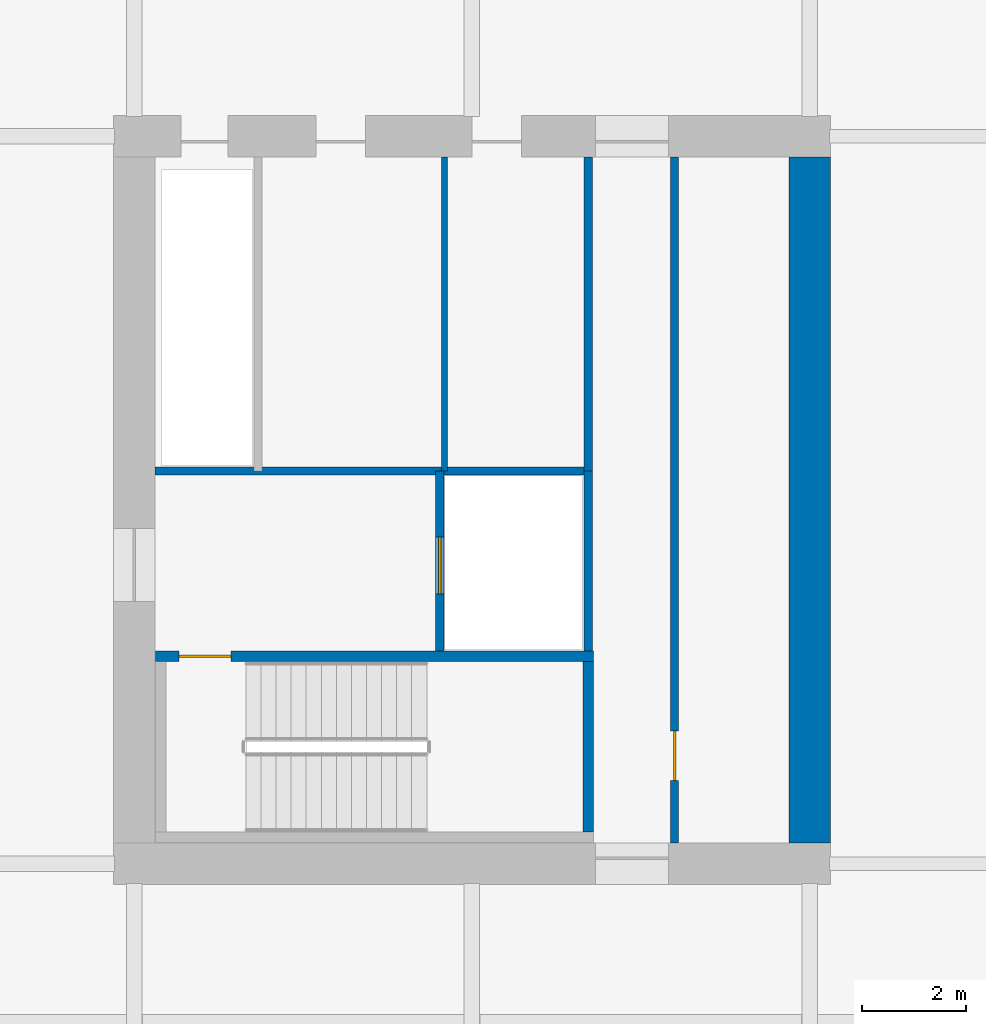
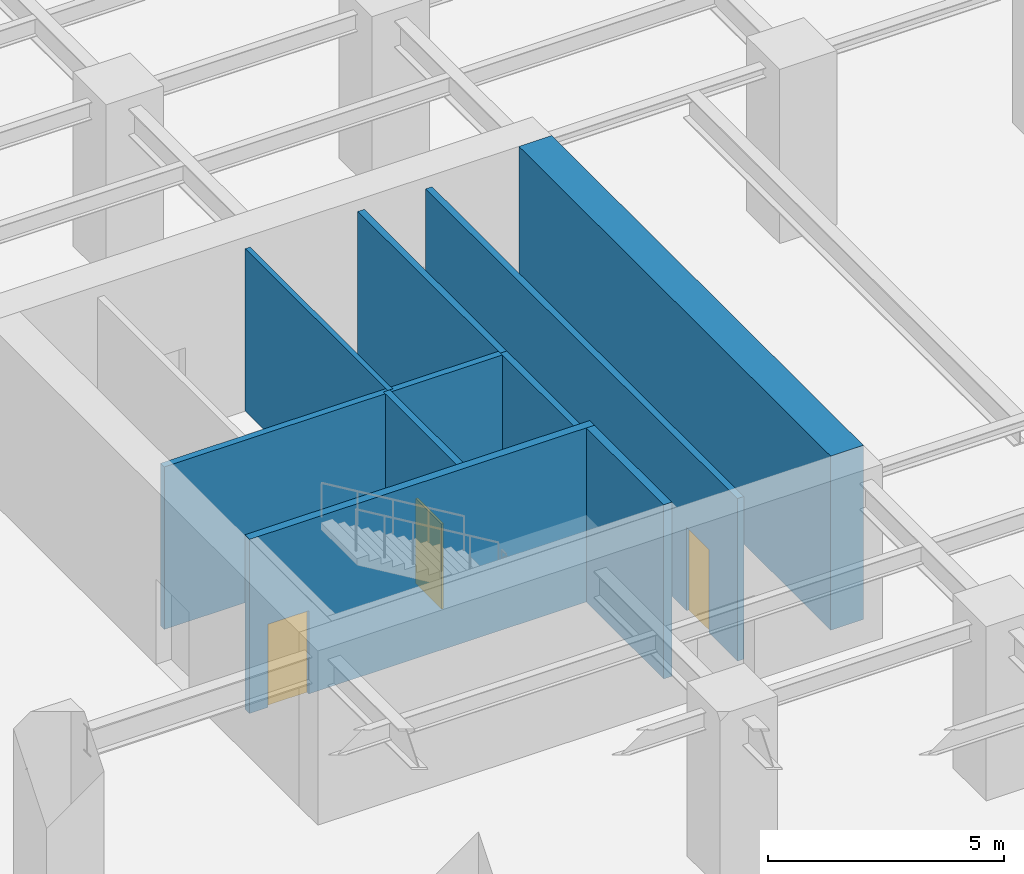
# One storey, part 4 of 10: 9 walls, 3 doors, 3 openings.
"""IFC4 building model written with IfcOpenShell, lengths in metres."""

from ifc_helpers import new_model, si_unit, direction, frame, frame_2d, origin, place, context, subcontext, project, spatial, rectangle, extrude, material, layer, layer_set, type_object, element, fill, save


model = new_model("IFC4")

# Units and contexts
model_context = context("Model", 3, precision=1e-05, world=origin(), true_north=direction((0.0, 1.0)))
body_context = subcontext(model_context, "Body", "Model", "MODEL_VIEW")
ifc_project = project(units=[si_unit("LENGTHUNIT", "METRE"), si_unit("AREAUNIT", "SQUARE_METRE"), si_unit("VOLUMEUNIT", "CUBIC_METRE"), si_unit("PLANEANGLEUNIT", "RADIAN"), si_unit("MASSUNIT", "GRAM", prefix="KILO")], contexts=[model_context])

# Site, building, storey
site_placement = place(None, origin())
site = spatial("IfcSite", under=ifc_project, at=site_placement, CompositionType="ELEMENT")
building_placement = place(site_placement, origin())
building = spatial("IfcBuilding", under=site, at=building_placement, Name="Putna Gate Headquarters", CompositionType="ELEMENT")
storey_placement = place(building_placement, frame((0.0, 0.0, -9.0)))
storey = spatial("IfcBuildingStorey", under=building, at=storey_placement, Name="B02", CompositionType="ELEMENT", Elevation=-9.0)

# Walls
ifc_material_1 = material(Name="Concrete C60/75", Category="concrete")
ifc_layer_1 = layer(ifc_material_1, 0.800048828125)
ifc_layer_set_1 = layer_set([ifc_layer_1], Name="Concrete C60/75")
wall_type_1 = type_object("IfcWallType", Name="WALL-CORE-800", PredefinedType="SHEAR", material=ifc_layer_set_1)
wall_1_placement = place(storey_placement, frame((26.0, 19.39990234375, 0.0), z_axis=(0.0, 0.0, 1.0), x_axis=(0.0, 1.0, 0.0)))
element("IfcWall", 1, at=wall_1_placement, inside=storey, type_object=wall_type_1, Name="B02 WC Split Core Shear Wall E", PredefinedType="SHEAR", context=body_context, shape_type="SweptSolid", body=[
    extrude(rectangle(XDim=13.2001953125, YDim=0.800048828125, at=frame_2d((6.60009765625, 0.0))), origin(), (0.0, 0.0, 1.0), 4.5),
])
ifc_material_2 = material(Name="Fire-rated gypsum board on metal stud")
ifc_layer_2 = layer(ifc_material_2, 0.1201171875)
ifc_layer_set_2 = layer_set([ifc_layer_2], Name="Fire-rated gypsum board on metal stud")
wall_type_2 = type_object("IfcWallType", Name="WALL-PART-120-RATED", PredefinedType="PARTITIONING", material=ifc_layer_set_2)
wall_2_placement = place(storey_placement, frame((18.969970703125, 26.56005859375, 0.0), z_axis=(0.0, 0.0, 1.0), x_axis=(0.0, 1.0, 0.0)))
element("IfcWall", 2, at=wall_2_placement, inside=storey, type_object=wall_type_2, Name="B02 Interior Wall CWINT-B02-WC-K0-DIV", PredefinedType="PARTITIONING", context=body_context, shape_type="SweptSolid", body=[
    extrude(rectangle(XDim=6.0400390625, YDim=0.1201171875, at=frame_2d((3.02001953125, 0.0))), origin(), (0.0, 0.0, 1.0), 4.199951171875),
])
ifc_material_3 = material(Name="Concrete C40/50", Category="concrete")
ifc_layer_3 = layer(ifc_material_3, 0.159912109375)
ifc_layer_set_3 = layer_set([ifc_layer_3], Name="Concrete C40/50")
wall_type_3 = type_object("IfcWallType", Name="WALL-SHAFT-160", PredefinedType="STANDARD", material=ifc_layer_set_3)
wall_3_placement = place(storey_placement, frame((21.739990234375, 23.090087890625, 0.0), z_axis=(0.0, 0.0, 1.0), x_axis=(0.0, 1.0, 0.0)))
element("IfcWall", 3, at=wall_3_placement, inside=storey, type_object=wall_type_3, Name="B02 Interior Wall CWINT-B02-WC-FFL-E", PredefinedType="STANDARD", context=body_context, shape_type="SweptSolid", body=[
    extrude(rectangle(XDim=3.469970703125, YDim=0.159912109375, at=frame_2d((1.73486328125, 0.0))), origin(), (0.0, 0.0, 1.0), 4.199951171875),
])

# Wall, opening, door
wall_4_placement = place(storey_placement, frame((18.8798828125, 23.090087890625, 0.0), z_axis=(0.0, 0.0, 1.0), x_axis=(0.0, 1.0, 0.0)))
wall_4 = element("IfcWall", 4, at=wall_4_placement, inside=storey, type_object=wall_type_3, Name="B02 Interior Wall CWINT-B02-WC-LF13-W", PredefinedType="STANDARD", context=body_context, shape_type="SweptSolid", body=[
    extrude(rectangle(XDim=3.469970703125, YDim=0.159912109375, at=frame_2d((1.73486328125, 0.0))), origin(), (0.0, 0.0, 1.0), 4.199951171875),
])
opening_1_placement = place(wall_4_placement, frame((1.10009765625, 0.0, 0.0)))
opening_1 = element("IfcOpeningElement", 5, at=opening_1_placement, cuts=wall_4, Name="Opening LD-1", PredefinedType="OPENING", context=body_context, shape_type="SweptSolid", body=[
    extrude(rectangle(XDim=1.10009765625, YDim=2.199951171875, at=frame_2d((0.550048828125, 1.10009765625))), frame((0.0, 0.08984375, 0.0), z_axis=(0.0, -1.0, 0.0), x_axis=(1.0, 0.0, 0.0)), (0.0, 0.0, 1.0), 0.179931640625),
])
ifc_material_4 = material(Name="Brushed bronze stainless lift landing door")
door_type_1 = type_object("IfcDoorType", Name="DOOR-LIFT-1100", OperationType="DOUBLE_DOOR_SLIDING", PredefinedType="DOOR", material=ifc_material_4)
door_1_placement = place(opening_1_placement, origin())
door_1 = element("IfcDoor", 6, at=door_1_placement, inside=storey, type_object=door_type_1, Name="B02 Lift Landing Door LD-13", OperationType="DOUBLE_DOOR_SLIDING", OverallHeight=2.199951171875, OverallWidth=1.10009765625, PredefinedType="DOOR", context=body_context, shape_type="SweptSolid", body=[
    extrude(rectangle(XDim=1.10009765625, YDim=2.199951171875, at=frame_2d((0.550048828125, 1.10009765625))), frame((0.0, 0.02490234375, 0.0), z_axis=(0.0, -1.0, 0.0), x_axis=(1.0, 0.0, 0.0)), (0.0, 0.0, 1.0), 0.050048828125),
])
fill(opening_1, door_1)

# Walls
wall_5_placement = place(storey_placement, frame((13.39990234375, 26.56005859375, 0.0), z_axis=(0.0, 0.0, 1.0), x_axis=(1.0, 0.0, 0.0)))
element("IfcWall", 7, at=wall_5_placement, inside=storey, type_object=wall_type_3, Name="B02 Interior Wall CWINT-B02-WC-FFL-N", PredefinedType="STANDARD", context=body_context, shape_type="SweptSolid", body=[
    extrude(rectangle(XDim=8.340087890625, YDim=0.159912109375, at=frame_2d((4.169921875, 0.0))), origin(), (0.0, 0.0, 1.0), 4.199951171875),
])
wall_6_placement = place(storey_placement, frame((21.739990234375, 26.56005859375, 0.0), z_axis=(0.0, 0.0, 1.0), x_axis=(0.0, 1.0, 0.0)))
element("IfcWall", 8, at=wall_6_placement, inside=storey, type_object=wall_type_3, Name="B02 Interior Wall CWINT-B02-WC-LOB-W", PredefinedType="STANDARD", context=body_context, shape_type="SweptSolid", body=[
    extrude(rectangle(XDim=6.0400390625, YDim=0.159912109375, at=frame_2d((3.02001953125, 0.0))), origin(), (0.0, 0.0, 1.0), 4.199951171875),
])

# Wall, opening, door
wall_7_placement = place(storey_placement, frame((23.39990234375, 19.39990234375, 0.0), z_axis=(0.0, 0.0, 1.0), x_axis=(0.0, 1.0, 0.0)))
wall_7 = element("IfcWall", 9, at=wall_7_placement, inside=storey, type_object=wall_type_3, Name="B02 Interior Wall CWINT-B02-WC-PL-WALL", PredefinedType="STANDARD", context=body_context, shape_type="SweptSolid", body=[
    extrude(rectangle(XDim=13.2001953125, YDim=0.159912109375, at=frame_2d((6.60009765625, 0.0))), origin(), (0.0, 0.0, 1.0), 4.199951171875),
])
opening_2_placement = place(wall_7_placement, frame((1.199951171875, 0.0, 0.0)))
opening_2 = element("IfcOpeningElement", 10, at=opening_2_placement, cuts=wall_7, Name="Opening IDS-95F", PredefinedType="OPENING", context=body_context, shape_type="SweptSolid", body=[
    extrude(rectangle(XDim=0.949951171875, YDim=2.14990234375, at=frame_2d((0.47509765625, 1.074951171875))), frame((0.0, 0.08984375, 0.0), z_axis=(0.0, -1.0, 0.0), x_axis=(1.0, 0.0, 0.0)), (0.0, 0.0, 1.0), 0.179931640625),
])
ifc_material_5 = material(Name="Steel-faced fire door", Category="steel")
door_type_2 = type_object("IfcDoorType", Name="DOOR-INT-950-EI90", OperationType="NOTDEFINED", PredefinedType="DOOR", material=ifc_material_5)
door_2_placement = place(opening_2_placement, origin())
door_2 = element("IfcDoor", 11, at=door_2_placement, inside=storey, type_object=door_type_2, Name="B02 Substructure Equipment West Door", OperationType="SINGLE_SWING_RIGHT", OverallHeight=2.14990234375, OverallWidth=0.949951171875, PredefinedType="DOOR", context=body_context, shape_type="SweptSolid", body=[
    extrude(rectangle(XDim=0.949951171875, YDim=2.14990234375, at=frame_2d((0.47509765625, 1.074951171875))), frame((0.0, 0.02490234375, 0.0), z_axis=(0.0, -1.0, 0.0), x_axis=(1.0, 0.0, 0.0)), (0.0, 0.0, 1.0), 0.050048828125),
])
fill(opening_2, door_2)

ifc_layer_4 = layer(ifc_material_3, 0.199951171875)
ifc_layer_set_4 = layer_set([ifc_layer_4], Name="Concrete C40/50")
wall_type_4 = type_object("IfcWallType", Name="WALL-SHAFT-RC200", PredefinedType="SHEAR", material=ifc_layer_set_4)
wall_8_placement = place(storey_placement, frame((13.409912109375, 22.989990234375, 0.0), z_axis=(0.0, 0.0, 1.0), x_axis=(1.0, 0.0, 0.0)))
wall_8 = element("IfcWall", 12, at=wall_8_placement, inside=storey, type_object=wall_type_4, Name="B02 Stair ST1 Structural Shaft Wall N", PredefinedType="SHEAR", context=body_context, shape_type="SweptSolid", body=[
    extrude(rectangle(XDim=8.43017578125, YDim=0.199951171875, at=frame_2d((4.215087890625, 0.0))), origin(), (0.0, 0.0, 1.0), 4.5),
])
opening_3_placement = place(wall_8_placement, frame((0.449951171875, 0.0, 0.0)))
opening_3 = element("IfcOpeningElement", 13, at=opening_3_placement, cuts=wall_8, Name="Opening FD-100", PredefinedType="OPENING", context=body_context, shape_type="SweptSolid", body=[
    extrude(rectangle(XDim=1.0, YDim=2.14990234375, at=frame_2d((0.5, 1.074951171875))), frame((0.0, 0.10986328125, 0.0), z_axis=(0.0, -1.0, 0.0), x_axis=(1.0, 0.0, 0.0)), (0.0, 0.0, 1.0), 0.219970703125),
])
ifc_material_6 = material(Name="Powder-coated steel fire door", Category="steel")
door_type_3 = type_object("IfcDoorType", Name="DOOR-FIRE-1000", OperationType="NOTDEFINED", PredefinedType="DOOR", material=ifc_material_6)
door_3_placement = place(opening_3_placement, origin())
door_3 = element("IfcDoor", 14, at=door_3_placement, inside=storey, type_object=door_type_3, Name="B02 Stair ST1 Fire Door", OperationType="SINGLE_SWING_LEFT", OverallHeight=2.14990234375, OverallWidth=1.0, PredefinedType="DOOR", context=body_context, shape_type="SweptSolid", body=[
    extrude(rectangle(XDim=1.0, YDim=2.14990234375, at=frame_2d((0.5, 1.074951171875))), frame((0.0, 0.02490234375, 0.0), z_axis=(0.0, -1.0, 0.0), x_axis=(1.0, 0.0, 0.0)), (0.0, 0.0, 1.0), 0.050048828125),
])
fill(opening_3, door_3)

# Wall
wall_9_placement = place(storey_placement, frame((21.739990234375, 19.610107421875, 0.0), z_axis=(0.0, 0.0, 1.0), x_axis=(0.0, 1.0, 0.0)))
element("IfcWall", 15, at=wall_9_placement, inside=storey, type_object=wall_type_4, Name="B02 Stair ST1 Structural Shaft Wall E", PredefinedType="SHEAR", context=body_context, shape_type="SweptSolid", body=[
    extrude(rectangle(XDim=3.27978515625, YDim=0.199951171875, at=frame_2d((1.639892578125, 0.0))), origin(), (0.0, 0.0, 1.0), 4.5),
])

save(model, "model.ifc")
